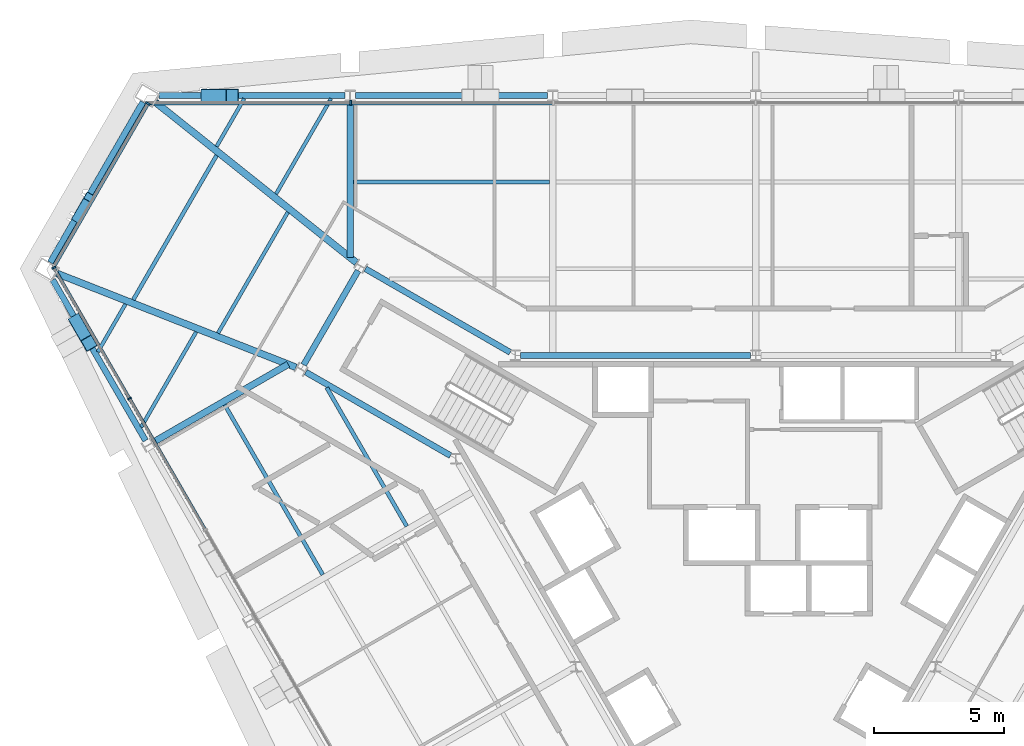
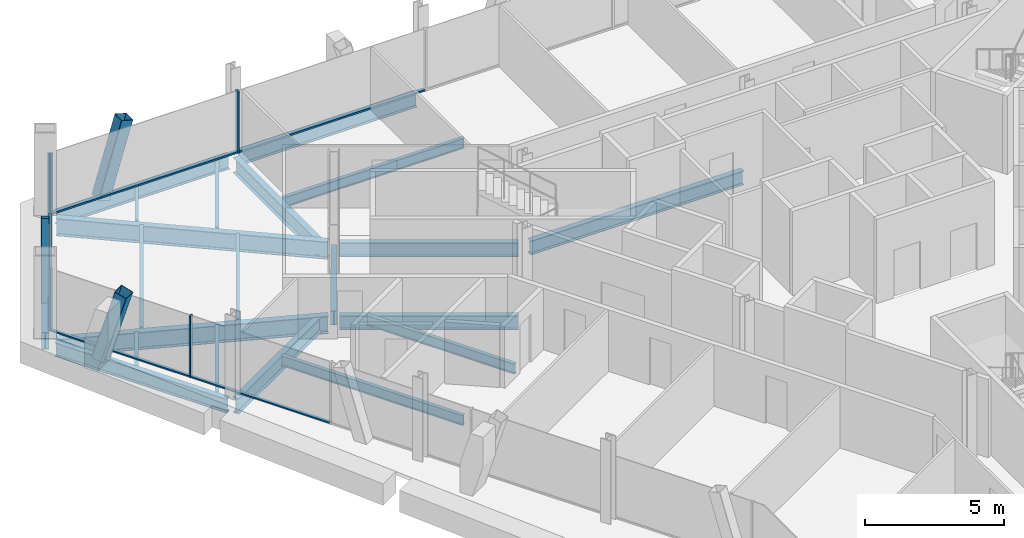
# One storey, part 8 of 17: 21 beams, 12 members, 3 elements without a shape of their own.
"""IFC4 building model written with IfcOpenShell, lengths in metres."""

from ifc_helpers import new_model, si_unit, direction, frame, origin, origin_2d, place, context, subcontext, project, spatial, rectangle, hollow_rectangle, i_section, extrude, material, material_profile, profile_set, type_object, element, aggregate, save


model = new_model("IFC4")

# Units and contexts
model_context = context("Model", 3, precision=1e-05, world=origin(), true_north=direction((0.0, 1.0)))
body_context = subcontext(model_context, "Body", "Model", "MODEL_VIEW")
ifc_project = project(units=[si_unit("LENGTHUNIT", "METRE"), si_unit("AREAUNIT", "SQUARE_METRE"), si_unit("VOLUMEUNIT", "CUBIC_METRE"), si_unit("PLANEANGLEUNIT", "RADIAN"), si_unit("MASSUNIT", "GRAM", prefix="KILO")], contexts=[model_context])

# Site, building, storey
site_placement = place(None, origin())
site = spatial("IfcSite", under=ifc_project, at=site_placement, CompositionType="ELEMENT")
building_placement = place(site_placement, origin())
building = spatial("IfcBuilding", under=site, at=building_placement, Name="Verrane Prism Tower", CompositionType="ELEMENT")
storey_placement = place(building_placement, frame((0.0, 0.0, 182.10009765625)))
storey = spatial("IfcBuildingStorey", under=building, at=storey_placement, Name="L45", CompositionType="ELEMENT", Elevation=182.10009765625)

# Member
ifc_material_1 = material(Name="Steel A500 Grade C", Category="steel")
ifc_material_profile_1 = material_profile(ifc_material_1, hollow_rectangle(XDim=0.3046875, YDim=0.3046875, WallThickness=0.0126953125, InnerFilletRadius=0.00634765625, OuterFilletRadius=0.01904296875, at=origin_2d()), Name="HSS12x12x1/2")
ifc_profile_set_1 = profile_set([ifc_material_profile_1], Name="Steel A500 Grade C")
member_type_1 = type_object("IfcMemberType", Name="Chamfer brace HSS12x12x1/2", PredefinedType="BRACE", material=ifc_profile_set_1)
member_1_placement = place(storey_placement, frame((-26.170166015625, 13.30078125, -0.24267578125), z_axis=(0.143220331286, 0.24790739425, 0.958138748085), x_axis=(-0.865887845823, 0.500238181725, 0.0)))
element("IfcMember", 1, at=member_1_placement, inside=storey, type_object=member_type_1, Name="Chamfer brace NW0 L45", PredefinedType="BRACE", context=body_context, shape_type="SweptSolid", body=[
    extrude(hollow_rectangle(XDim=0.3046875, YDim=0.3046875, WallThickness=0.0126953125, InnerFilletRadius=0.00634765625, OuterFilletRadius=0.01904296875, at=origin_2d()), origin(), (0.0, 0.0, 1.0), 3.243896484375),
])

# Beams
ifc_material_2 = material(Name="Steel A992", Category="steel")
ifc_material_profile_2 = material_profile(ifc_material_2, i_section(OverallWidth=0.2666015625, OverallDepth=0.7568359375, WebThickness=0.013916015625, FlangeThickness=0.019287109375, FilletRadius=0.0166015625, at=origin_2d()), Name="W30x108")
ifc_profile_set_2 = profile_set([ifc_material_profile_2], Name="Steel A992")
beam_type_1 = type_object("IfcBeamType", Name="Chamfer spandrel beam W30x108", PredefinedType="SPANDREL", material=ifc_profile_set_2)
beam_1_placement = place(storey_placement, frame((-23.60009765625, 17.750244140625, -0.53857421875), z_axis=(-0.500163614961, -0.865930920033, 0.0), x_axis=(0.865930920033, -0.500163614961, 0.0)))
element("IfcBeam", 2, at=beam_1_placement, inside=storey, type_object=beam_type_1, Name="Chamfer spandrel beam L45", PredefinedType="SPANDREL", context=body_context, shape_type="SweptSolid", body=[
    extrude(i_section(OverallWidth=0.2666015625, OverallDepth=0.7568359375, WebThickness=0.013916015625, FlangeThickness=0.019287109375, FilletRadius=0.0166015625, at=origin_2d()), origin(), (0.0, 0.0, 1.0), 7.13720703125),
])
ifc_material_3 = material(Name="Steel A992", Category="steel")
ifc_material_profile_3 = material_profile(ifc_material_3, i_section(OverallWidth=0.23046875, OverallDepth=0.6171875, WebThickness=0.01318359375, FlangeThickness=0.022216796875, FilletRadius=0.012939453125, at=origin_2d()), Name="W24x94")
ifc_profile_set_3 = profile_set([ifc_material_profile_3], Name="Steel A992")
beam_type_2 = type_object("IfcBeamType", Name="Core ring girder W24x94", PredefinedType="BEAM", material=ifc_profile_set_3)
beam_2_placement = place(storey_placement, frame((-0.20068359375, 8.0, -0.55859375), z_axis=(-1.0, 0.0, 0.0), x_axis=(0.0, -1.0, 0.0)))
element("IfcBeam", 3, at=beam_2_placement, inside=storey, type_object=beam_type_2, Name="Core ring girder L45", PredefinedType="BEAM", context=body_context, shape_type="SweptSolid", body=[
    extrude(i_section(OverallWidth=0.23046875, OverallDepth=0.6171875, WebThickness=0.01318359375, FlangeThickness=0.022216796875, FilletRadius=0.012939453125, at=origin_2d()), origin(), (0.0, 0.0, 1.0), 8.858642578125),
])
beam_3_placement = place(storey_placement, frame((-9.460693359375, 8.11572265625, -0.55859375), z_axis=(-0.866075143088, 0.499913839102, 0.0), x_axis=(-0.499913839102, -0.866075143088, 0.0)))
element("IfcBeam", 4, at=beam_3_placement, inside=storey, type_object=beam_type_2, Name="Core ring girder L45", PredefinedType="BEAM", context=body_context, shape_type="SweptSolid", body=[
    extrude(i_section(OverallWidth=0.23046875, OverallDepth=0.6171875, WebThickness=0.01318359375, FlangeThickness=0.022216796875, FilletRadius=0.012939453125, at=origin_2d()), origin(), (0.0, 0.0, 1.0), 6.441650390625),
])
beam_4_placement = place(storey_placement, frame((-15.32177734375, 11.26416015625, -0.55859375), z_axis=(-0.500305747711, -0.865848808284, 0.0), x_axis=(0.865848808284, -0.500305747711, 0.0)))
element("IfcBeam", 5, at=beam_4_placement, inside=storey, type_object=beam_type_2, Name="Core ring girder L45", PredefinedType="BEAM", context=body_context, shape_type="SweptSolid", body=[
    extrude(i_section(OverallWidth=0.23046875, OverallDepth=0.6171875, WebThickness=0.01318359375, FlangeThickness=0.022216796875, FilletRadius=0.012939453125, at=origin_2d()), origin(), (0.0, 0.0, 1.0), 4.1904296875),
])
beam_5_placement = place(storey_placement, frame((-17.339599609375, 7.35595703125, -0.55859375), z_axis=(0.866075143088, -0.499913839102, 0.0), x_axis=(0.499913839102, 0.866075143088, 0.0)))
element("IfcBeam", 6, at=beam_5_placement, inside=storey, type_object=beam_type_2, Name="Core ring girder L45", PredefinedType="BEAM", context=body_context, shape_type="SweptSolid", body=[
    extrude(i_section(OverallWidth=0.23046875, OverallDepth=0.6171875, WebThickness=0.01318359375, FlangeThickness=0.022216796875, FilletRadius=0.012939453125, at=origin_2d()), origin(), (0.0, 0.0, 1.0), 6.441650390625),
])
ifc_material_4 = material(Name="Steel A992", Category="steel")
ifc_material_profile_4 = material_profile(ifc_material_4, i_section(OverallWidth=0.2666015625, OverallDepth=0.76708984375, WebThickness=0.014892578125, FlangeThickness=0.023681640625, FilletRadius=0.0166015625, at=origin_2d()), Name="W30x124")
ifc_profile_set_4 = profile_set([ifc_material_profile_4], Name="Steel A992")
beam_type_3 = type_object("IfcBeamType", Name="Corner girder W30x124", PredefinedType="BEAM", material=ifc_profile_set_4)
beam_6_placement = place(storey_placement, frame((-23.1337890625, 17.757568359375, -0.603515625), z_axis=(0.781514558867, -0.623887004415, 0.0), x_axis=(0.623887004415, 0.781514558867, 0.0)))
element("IfcBeam", 7, at=beam_6_placement, inside=storey, type_object=beam_type_3, Name="Corner girder L45", PredefinedType="BEAM", context=body_context, shape_type="SweptSolid", body=[
    extrude(i_section(OverallWidth=0.2666015625, OverallDepth=0.76708984375, WebThickness=0.014892578125, FlangeThickness=0.023681640625, FilletRadius=0.0166015625, at=origin_2d()), origin(), (0.0, 0.0, 1.0), 9.915771484375),
])
beam_7_placement = place(storey_placement, frame((-26.943603515625, 11.162109375, -0.603515625), z_axis=(0.930755085218, -0.365643229583, 0.0), x_axis=(0.365643229583, 0.930755085218, 0.0)))
element("IfcBeam", 8, at=beam_7_placement, inside=storey, type_object=beam_type_3, Name="Corner girder L45", PredefinedType="BEAM", context=body_context, shape_type="SweptSolid", body=[
    extrude(i_section(OverallWidth=0.2666015625, OverallDepth=0.76708984375, WebThickness=0.014892578125, FlangeThickness=0.023681640625, FilletRadius=0.0166015625, at=origin_2d()), origin(), (0.0, 0.0, 1.0), 9.9140625),
])

# Members
ifc_material_5 = material(Name="Steel A500 Grade C", Category="steel")
ifc_material_profile_5 = material_profile(ifc_material_5, hollow_rectangle(XDim=0.508056640625, YDim=0.508056640625, WallThickness=0.01904296875, InnerFilletRadius=0.009521484375, OuterFilletRadius=0.028564453125, at=origin_2d()), Name="HSS20x20x3/4")
ifc_profile_set_5 = profile_set([ifc_material_profile_5], Name="Steel A500 Grade C")
member_type_2 = type_object("IfcMemberType", Name="Facade brace HSS20x20x3/4", PredefinedType="BRACE", material=ifc_profile_set_5)
member_2_placement = place(storey_placement, frame((-21.1396484375, 18.010009765625, -0.216796875), z_axis=(0.289051375374, 0.0, 0.957313586237), x_axis=(0.0, 1.0, 0.0)))
element("IfcMember", 9, at=member_2_placement, inside=storey, type_object=member_type_2, Name="Facade brace N5 L45", PredefinedType="BRACE", context=body_context, shape_type="SweptSolid", body=[
    extrude(hollow_rectangle(XDim=0.508056640625, YDim=0.508056640625, WallThickness=0.01904296875, InnerFilletRadius=0.009521484375, OuterFilletRadius=0.028564453125, at=origin_2d()), origin(), (0.0, 0.0, 1.0), 3.3388671875),
])
member_3_placement = place(storey_placement, frame((-26.164794921875, 9.309814453125, -0.216796875), z_axis=(0.144493588021, -0.250231304762, 0.957343144927), x_axis=(0.865991719008, 0.500058339205, 0.0)))
element("IfcMember", 10, at=member_3_placement, inside=storey, type_object=member_type_2, Name="Facade brace SW0 L45", PredefinedType="BRACE", context=body_context, shape_type="SweptSolid", body=[
    extrude(hollow_rectangle(XDim=0.508056640625, YDim=0.508056640625, WallThickness=0.01904296875, InnerFilletRadius=0.009521484375, OuterFilletRadius=0.028564453125, at=origin_2d()), origin(), (0.0, 0.0, 1.0), 3.338623046875),
])

# Beams
ifc_material_6 = material(Name="Steel A992", Category="steel")
ifc_material_profile_6 = material_profile(ifc_material_6, i_section(OverallWidth=0.140380859375, OverallDepth=0.40380859375, WebThickness=0.007080078125, FlangeThickness=0.01123046875, FilletRadius=0.01025390625, at=origin_2d()), Name="W16x31")
ifc_profile_set_6 = profile_set([ifc_material_profile_6], Name="Steel A992")
beam_type_4 = type_object("IfcBeamType", Name="Floor beam W16x31", PredefinedType="BEAM", material=ifc_profile_set_6)
beam_8_placement = place(storey_placement, frame((-18.4853515625, 14.21923828125, -0.362060546875), z_axis=(0.49997473417, 0.866039990527, 0.0), x_axis=(-0.866039990527, 0.49997473417, 0.0)))
element("IfcBeam", 11, at=beam_8_placement, inside=storey, type_object=beam_type_4, Name="Floor beam L45", PredefinedType="BEAM", context=body_context, shape_type="SweptSolid", body=[
    extrude(i_section(OverallWidth=0.140380859375, OverallDepth=0.40380859375, WebThickness=0.007080078125, FlangeThickness=0.01123046875, FilletRadius=0.01025390625, at=origin_2d()), origin(), (0.0, 0.0, 1.0), 4.244384765625),
])
beam_9_placement = place(storey_placement, frame((-20.77587890625, 16.046875, -0.362060546875), z_axis=(0.500039335303, 0.866002692346, 0.0), x_axis=(-0.866002692346, 0.500039335303, 0.0)))
element("IfcBeam", 12, at=beam_9_placement, inside=storey, type_object=beam_type_4, Name="Floor beam L45", PredefinedType="BEAM", context=body_context, shape_type="SweptSolid", body=[
    extrude(i_section(OverallWidth=0.140380859375, OverallDepth=0.40380859375, WebThickness=0.007080078125, FlangeThickness=0.01123046875, FilletRadius=0.01025390625, at=origin_2d()), origin(), (0.0, 0.0, 1.0), 2.134033203125),
])
beam_10_placement = place(storey_placement, frame((-23.6796875, 5.23681640625, -0.362060546875), z_axis=(0.500023792618, 0.866011666674, 0.0), x_axis=(-0.866011666674, 0.500023792618, 0.0)))
element("IfcBeam", 13, at=beam_10_placement, inside=storey, type_object=beam_type_4, Name="Floor beam L45", PredefinedType="BEAM", context=body_context, shape_type="SweptSolid", body=[
    extrude(i_section(OverallWidth=0.140380859375, OverallDepth=0.40380859375, WebThickness=0.007080078125, FlangeThickness=0.01123046875, FilletRadius=0.01025390625, at=origin_2d()), origin(), (0.0, 0.0, 1.0), 4.231201171875),
])
beam_11_placement = place(storey_placement, frame((-25.35107421875, 8.130859375, -0.362060546875), z_axis=(0.499941024108, 0.866059450854, 0.0), x_axis=(-0.866059450854, 0.499941024108, 0.0)))
element("IfcBeam", 14, at=beam_11_placement, inside=storey, type_object=beam_type_4, Name="Floor beam L45", PredefinedType="BEAM", context=body_context, shape_type="SweptSolid", body=[
    extrude(i_section(OverallWidth=0.140380859375, OverallDepth=0.40380859375, WebThickness=0.007080078125, FlangeThickness=0.01123046875, FilletRadius=0.01025390625, at=origin_2d()), origin(), (0.0, 0.0, 1.0), 2.127197265625),
])
beam_12_placement = place(storey_placement, frame((-20.72021484375, 8.856201171875, -0.362060546875), z_axis=(0.500019726309, 0.866014014495, 0.0), x_axis=(-0.866014014495, 0.500019726309, 0.0)))
element("IfcBeam", 15, at=beam_12_placement, inside=storey, type_object=beam_type_4, Name="Floor beam L45", PredefinedType="BEAM", context=body_context, shape_type="SweptSolid", body=[
    extrude(i_section(OverallWidth=0.140380859375, OverallDepth=0.40380859375, WebThickness=0.007080078125, FlangeThickness=0.01123046875, FilletRadius=0.01025390625, at=origin_2d()), origin(), (0.0, 0.0, 1.0), 5.379150390625),
])
ifc_material_7 = material(Name="Steel A992", Category="steel")
ifc_material_profile_7 = material_profile(ifc_material_7, i_section(OverallWidth=0.15234375, OverallDepth=0.449462890625, WebThickness=0.007568359375, FlangeThickness=0.0107421875, FilletRadius=0.01025390625, at=origin_2d()), Name="W18x35")
ifc_profile_set_7 = profile_set([ifc_material_profile_7], Name="Steel A992")
beam_type_5 = type_object("IfcBeamType", Name="Floor beam W18x35", PredefinedType="BEAM", material=ifc_profile_set_7)
beam_13_placement = place(storey_placement, frame((-15.5029296875, 14.67333984375, -0.385009765625), z_axis=(1.0, 0.0, 0.0), x_axis=(0.0, 1.0, 0.0)))
element("IfcBeam", 16, at=beam_13_placement, inside=storey, type_object=beam_type_5, Name="Floor beam L45", PredefinedType="BEAM", context=body_context, shape_type="SweptSolid", body=[
    extrude(i_section(OverallWidth=0.15234375, OverallDepth=0.449462890625, WebThickness=0.007568359375, FlangeThickness=0.0107421875, FilletRadius=0.01025390625, at=origin_2d()), origin(), (0.0, 0.0, 1.0), 7.555908203125),
])
beam_14_placement = place(storey_placement, frame((-13.446044921875, 1.41357421875, -0.385009765625), z_axis=(-0.500025052272, 0.866010939365, 0.0), x_axis=(-0.866010939365, -0.500025052272, 0.0)))
element("IfcBeam", 17, at=beam_14_placement, inside=storey, type_object=beam_type_5, Name="Floor beam L45", PredefinedType="BEAM", context=body_context, shape_type="SweptSolid", body=[
    extrude(i_section(OverallWidth=0.15234375, OverallDepth=0.449462890625, WebThickness=0.007568359375, FlangeThickness=0.0107421875, FilletRadius=0.01025390625, at=origin_2d()), origin(), (0.0, 0.0, 1.0), 6.169189453125),
])
beam_15_placement = place(storey_placement, frame((-16.68310546875, -0.453125, -0.385009765625), z_axis=(-0.499994554566, 0.866028547684, 0.0), x_axis=(-0.866028547684, -0.499994554566, 0.0)))
element("IfcBeam", 18, at=beam_15_placement, inside=storey, type_object=beam_type_5, Name="Floor beam L45", PredefinedType="BEAM", context=body_context, shape_type="SweptSolid", body=[
    extrude(i_section(OverallWidth=0.15234375, OverallDepth=0.449462890625, WebThickness=0.007568359375, FlangeThickness=0.0107421875, FilletRadius=0.01025390625, at=origin_2d()), origin(), (0.0, 0.0, 1.0), 7.5595703125),
])
beam_16_placement = place(storey_placement, frame((-23.986328125, 10.1416015625, -0.385009765625), z_axis=(0.500002112793, 0.866024183959, 0.0), x_axis=(-0.866024183959, 0.500002112793, 0.0)))
element("IfcBeam", 19, at=beam_16_placement, inside=storey, type_object=beam_type_5, Name="Floor beam L45", PredefinedType="BEAM", context=body_context, shape_type="SweptSolid", body=[
    extrude(i_section(OverallWidth=0.15234375, OverallDepth=0.449462890625, WebThickness=0.007568359375, FlangeThickness=0.0107421875, FilletRadius=0.01025390625, at=origin_2d()), origin(), (0.0, 0.0, 1.0), 6.42333984375),
])

# Curtain wall, members
ifc_material_8 = material(Name="Aluminium framed insulated glazing", Category="aluminium")
curtain_wall_type_1 = type_object("IfcCurtainWallType", Name="Curtain wall CW-B 5600 module", PredefinedType="NOTDEFINED", material=ifc_material_8)
curtain_wall_1_placement = place(storey_placement, origin())
curtain_wall_1 = element("IfcCurtainWall", 20, at=curtain_wall_1_placement, inside=storey, type_object=curtain_wall_type_1, Name="Glazed curtain wall south-west face L45", PredefinedType="NOTDEFINED")
ifc_material_9 = material(Name="Aluminium alloy 6063-T6", Category="aluminium")
ifc_material_profile_8 = material_profile(ifc_material_9, rectangle(XDim=0.159912109375, YDim=0.06005859375, at=origin_2d()), Name="Mullion 60x160 aluminium")
ifc_profile_set_8 = profile_set([ifc_material_profile_8], Name="Aluminium alloy 6063-T6")
member_type_3 = type_object("IfcMemberType", Name="Mullion 60x160 aluminium", PredefinedType="MULLION", material=ifc_profile_set_8)
member_4_placement = place(storey_placement, frame((-27.044677734375, 11.380859375, 0.0), z_axis=(0.0, 0.0, 1.0), x_axis=(0.866025734201, 0.499999427701, 0.0)))
member_4 = element("IfcMember", 21, at=member_4_placement, type_object=member_type_3, Name="CW44.4 mullion 1", PredefinedType="MULLION", context=body_context, shape_type="SweptSolid", body=[
    extrude(rectangle(XDim=0.159912109375, YDim=0.06005859375, at=origin_2d()), origin(), (0.0, 0.0, 1.0), 2.712890625),
])
member_5_placement = place(storey_placement, frame((-24.133544921875, 6.338623046875, 0.0), z_axis=(0.0, 0.0, 1.0), x_axis=(0.866025734201, 0.499999427701, 0.0)))
member_5 = element("IfcMember", 22, at=member_5_placement, type_object=member_type_3, Name="CW44.4 mullion 2", PredefinedType="MULLION", context=body_context, shape_type="SweptSolid", body=[
    extrude(rectangle(XDim=0.159912109375, YDim=0.06005859375, at=origin_2d()), origin(), (0.0, 0.0, 1.0), 2.712890625),
])

# Curtain wall, member
ifc_material_10 = material(Name="Aluminium framed insulated glazing", Category="aluminium")
curtain_wall_type_2 = type_object("IfcCurtainWallType", Name="Curtain wall CW-A 8400 module", PredefinedType="NOTDEFINED", material=ifc_material_10)
curtain_wall_2_placement = place(storey_placement, origin())
curtain_wall_2 = element("IfcCurtainWall", 23, at=curtain_wall_2_placement, inside=storey, type_object=curtain_wall_type_2, Name="Glazed curtain wall north face L45", PredefinedType="NOTDEFINED")
ifc_material_11 = material(Name="Aluminium alloy 6063-T6", Category="aluminium")
ifc_material_profile_9 = material_profile(ifc_material_11, rectangle(XDim=0.199951171875, YDim=0.070068359375, at=origin_2d()), Name="Mullion 70x200 aluminium")
ifc_profile_set_9 = profile_set([ifc_material_profile_9], Name="Aluminium alloy 6063-T6")
member_type_4 = type_object("IfcMemberType", Name="Mullion 70x200 aluminium", PredefinedType="MULLION", material=ifc_profile_set_9)
member_6_placement = place(storey_placement, frame((-15.605712890625, 17.73095703125, 0.0), z_axis=(0.0, 0.0, 1.0), x_axis=(0.0, -1.0, 0.0)))
member_6 = element("IfcMember", 24, at=member_6_placement, type_object=member_type_4, Name="CW44.2 mullion 6", PredefinedType="MULLION", context=body_context, shape_type="SweptSolid", body=[
    extrude(rectangle(XDim=0.199951171875, YDim=0.070068359375, at=origin_2d()), origin(), (0.0, 0.0, 1.0), 2.712890625),
])

curtain_wall_3_placement = place(storey_placement, origin())
curtain_wall_3 = element("IfcCurtainWall", 25, at=curtain_wall_3_placement, inside=storey, type_object=curtain_wall_type_2, Name="Glazed curtain wall north-west corner L45", PredefinedType="NOTDEFINED")
member_7_placement = place(storey_placement, frame((-23.42578125, 17.70068359375, 0.0), z_axis=(0.0, 0.0, 1.0), x_axis=(0.866024133208, -0.500002200696, 0.0)))
member_7 = element("IfcMember", 26, at=member_7_placement, type_object=member_type_4, Name="CW44.3 mullion 1", PredefinedType="MULLION", context=body_context, shape_type="SweptSolid", body=[
    extrude(rectangle(XDim=0.199951171875, YDim=0.070068359375, at=origin_2d()), origin(), (0.0, 0.0, 1.0), 2.712890625),
])

# Beams
ifc_material_12 = material(Name="Steel A992", Category="steel")
ifc_material_profile_10 = material_profile(ifc_material_12, i_section(OverallWidth=0.25390625, OverallDepth=0.683349609375, WebThickness=0.012451171875, FlangeThickness=0.01904296875, FilletRadius=0.01513671875, at=origin_2d()), Name="W27x94")
ifc_profile_set_10 = profile_set([ifc_material_profile_10], Name="Steel A992")
beam_type_6 = type_object("IfcBeamType", Name="Radial girder W27x94", PredefinedType="BEAM", material=ifc_profile_set_10)
beam_17_placement = place(storey_placement, frame((-15.6298828125, 17.8017578125, -0.561767578125), z_axis=(0.0, -1.0, 0.0), x_axis=(1.0, 0.0, 0.0)))
element("IfcBeam", 27, at=beam_17_placement, inside=storey, type_object=beam_type_6, Name="Radial girder L45", PredefinedType="BEAM", context=body_context, shape_type="SweptSolid", body=[
    extrude(i_section(OverallWidth=0.25390625, OverallDepth=0.683349609375, WebThickness=0.012451171875, FlangeThickness=0.01904296875, FilletRadius=0.01513671875, at=origin_2d()), origin(), (0.0, 0.0, 1.0), 6.034423828125),
])
beam_18_placement = place(storey_placement, frame((-23.2294921875, 4.64404296875, -0.561767578125), z_axis=(0.866016092368, 0.500016127499, 0.0), x_axis=(-0.500016127499, 0.866016092368, 0.0)))
element("IfcBeam", 28, at=beam_18_placement, inside=storey, type_object=beam_type_6, Name="Radial girder L45", PredefinedType="BEAM", context=body_context, shape_type="SweptSolid", body=[
    extrude(i_section(OverallWidth=0.25390625, OverallDepth=0.683349609375, WebThickness=0.012451171875, FlangeThickness=0.01904296875, FilletRadius=0.01513671875, at=origin_2d()), origin(), (0.0, 0.0, 1.0), 6.020751953125),
])
ifc_material_13 = material(Name="Steel A992", Category="steel")
ifc_material_profile_11 = material_profile(ifc_material_13, i_section(OverallWidth=0.23046875, OverallDepth=0.6171875, WebThickness=0.01318359375, FlangeThickness=0.022216796875, FilletRadius=0.012939453125, at=origin_2d()), Name="W24x94")
ifc_profile_set_11 = profile_set([ifc_material_profile_11], Name="Steel A992")
beam_type_7 = type_object("IfcBeamType", Name="Spandrel beam W24x94", PredefinedType="SPANDREL", material=ifc_profile_set_11)
beam_19_placement = place(storey_placement, frame((-8.023193359375, 18.010009765625, -0.46875), z_axis=(-1.0, 0.0, 0.0), x_axis=(0.0, -1.0, 0.0)))
element("IfcBeam", 29, at=beam_19_placement, inside=storey, type_object=beam_type_7, Name="Spandrel beam L45", PredefinedType="SPANDREL", context=body_context, shape_type="SweptSolid", body=[
    extrude(i_section(OverallWidth=0.23046875, OverallDepth=0.6171875, WebThickness=0.01318359375, FlangeThickness=0.022216796875, FilletRadius=0.012939453125, at=origin_2d()), origin(), (0.0, 0.0, 1.0), 7.403564453125),
])
beam_20_placement = place(storey_placement, frame((-15.833251953125, 18.010009765625, -0.46875), z_axis=(-1.0, 0.0, 0.0), x_axis=(0.0, -1.0, 0.0)))
element("IfcBeam", 30, at=beam_20_placement, inside=storey, type_object=beam_type_7, Name="Spandrel beam L45", PredefinedType="SPANDREL", context=body_context, shape_type="SweptSolid", body=[
    extrude(i_section(OverallWidth=0.23046875, OverallDepth=0.6171875, WebThickness=0.01318359375, FlangeThickness=0.022216796875, FilletRadius=0.012939453125, at=origin_2d()), origin(), (0.0, 0.0, 1.0), 7.15478515625),
])
beam_21_placement = place(storey_placement, frame((-27.089111328125, 10.91015625, -0.46875), z_axis=(0.500129173379, -0.865950812653, 0.0), x_axis=(0.865950812653, 0.500129173379, 0.0)))
element("IfcBeam", 31, at=beam_21_placement, inside=storey, type_object=beam_type_7, Name="Spandrel beam L45", PredefinedType="SPANDREL", context=body_context, shape_type="SweptSolid", body=[
    extrude(i_section(OverallWidth=0.23046875, OverallDepth=0.6171875, WebThickness=0.01318359375, FlangeThickness=0.022216796875, FilletRadius=0.012939453125, at=origin_2d()), origin(), (0.0, 0.0, 1.0), 7.15283203125),
])

# Member
ifc_material_14 = material(Name="Aluminium alloy 6063-T6", Category="aluminium")
ifc_material_profile_12 = material_profile(ifc_material_14, rectangle(XDim=0.1201171875, YDim=0.06005859375, at=origin_2d()), Name="Transom 60x120 aluminium")
ifc_profile_set_12 = profile_set([ifc_material_profile_12], Name="Aluminium alloy 6063-T6")
member_type_5 = type_object("IfcMemberType", Name="Transom 60x120 aluminium", PredefinedType="USERDEFINED", material=ifc_profile_set_12)
member_8_placement = place(storey_placement, frame((-27.02978515625, 11.354736328125, 0.02978515625), z_axis=(0.500017091667, -0.866015535681, 0.0), x_axis=(0.866015535681, 0.500017091667, 0.0)))
member_8 = element("IfcMember", 32, at=member_8_placement, type_object=member_type_5, Name="CW44.4 transom 1", ObjectType="TRANSOM", PredefinedType="USERDEFINED", context=body_context, shape_type="SweptSolid", body=[
    extrude(rectangle(XDim=0.1201171875, YDim=0.06005859375, at=origin_2d()), origin(), (0.0, 0.0, 1.0), 5.761962890625),
])

member_9_placement = place(storey_placement, frame((-24.11865234375, 6.312744140625, 0.02978515625), z_axis=(0.499992456128, -0.866029759197, 0.0), x_axis=(0.866029759197, 0.499992456128, 0.0)))
member_9 = element("IfcMember", 33, at=member_9_placement, type_object=member_type_5, Name="CW44.4 transom 2", ObjectType="TRANSOM", PredefinedType="USERDEFINED", context=body_context, shape_type="SweptSolid", body=[
    extrude(rectangle(XDim=0.1201171875, YDim=0.06005859375, at=origin_2d()), origin(), (0.0, 0.0, 1.0), 5.7919921875),
])

aggregate(curtain_wall_1, [member_4, member_5, member_8, member_9])

ifc_material_15 = material(Name="Aluminium alloy 6063-T6", Category="aluminium")
ifc_material_profile_13 = material_profile(ifc_material_15, rectangle(XDim=0.14990234375, YDim=0.070068359375, at=origin_2d()), Name="Transom 70x150 aluminium")
ifc_profile_set_13 = profile_set([ifc_material_profile_13], Name="Aluminium alloy 6063-T6")
member_type_6 = type_object("IfcMemberType", Name="Transom 70x150 aluminium", PredefinedType="USERDEFINED", material=ifc_profile_set_13)
member_10_placement = place(storey_placement, frame((-7.837890625, 17.73095703125, 0.034912109375), z_axis=(-1.0, 0.0, 0.0), x_axis=(0.0, -1.0, 0.0)))
member_10 = element("IfcMember", 34, at=member_10_placement, type_object=member_type_6, Name="CW44.2 transom 5", ObjectType="TRANSOM", PredefinedType="USERDEFINED", context=body_context, shape_type="SweptSolid", body=[
    extrude(rectangle(XDim=0.14990234375, YDim=0.070068359375, at=origin_2d()), origin(), (0.0, 0.0, 1.0), 7.732666015625),
])

member_11_placement = place(storey_placement, frame((-15.640625, 17.73095703125, 0.034912109375), z_axis=(-1.0, 0.0, 0.0), x_axis=(0.0, -1.0, 0.0)))
member_11 = element("IfcMember", 35, at=member_11_placement, type_object=member_type_6, Name="CW44.2 transom 6", ObjectType="TRANSOM", PredefinedType="USERDEFINED", context=body_context, shape_type="SweptSolid", body=[
    extrude(rectangle(XDim=0.14990234375, YDim=0.070068359375, at=origin_2d()), origin(), (0.0, 0.0, 1.0), 7.767822265625),
])

aggregate(curtain_wall_2, [member_6, member_10, member_11])

member_12_placement = place(storey_placement, frame((-23.443359375, 17.67041015625, 0.034912109375), z_axis=(-0.500012695882, -0.866018073689, 0.0), x_axis=(0.866018073689, -0.500012695882, 0.0)))
member_12 = element("IfcMember", 36, at=member_12_placement, type_object=member_type_6, Name="CW44.3 transom 1", ObjectType="TRANSOM", PredefinedType="USERDEFINED", context=body_context, shape_type="SweptSolid", body=[
    extrude(rectangle(XDim=0.14990234375, YDim=0.070068359375, at=origin_2d()), origin(), (0.0, 0.0, 1.0), 7.232666015625),
])

aggregate(curtain_wall_3, [member_7, member_12])

save(model, "model.ifc")
